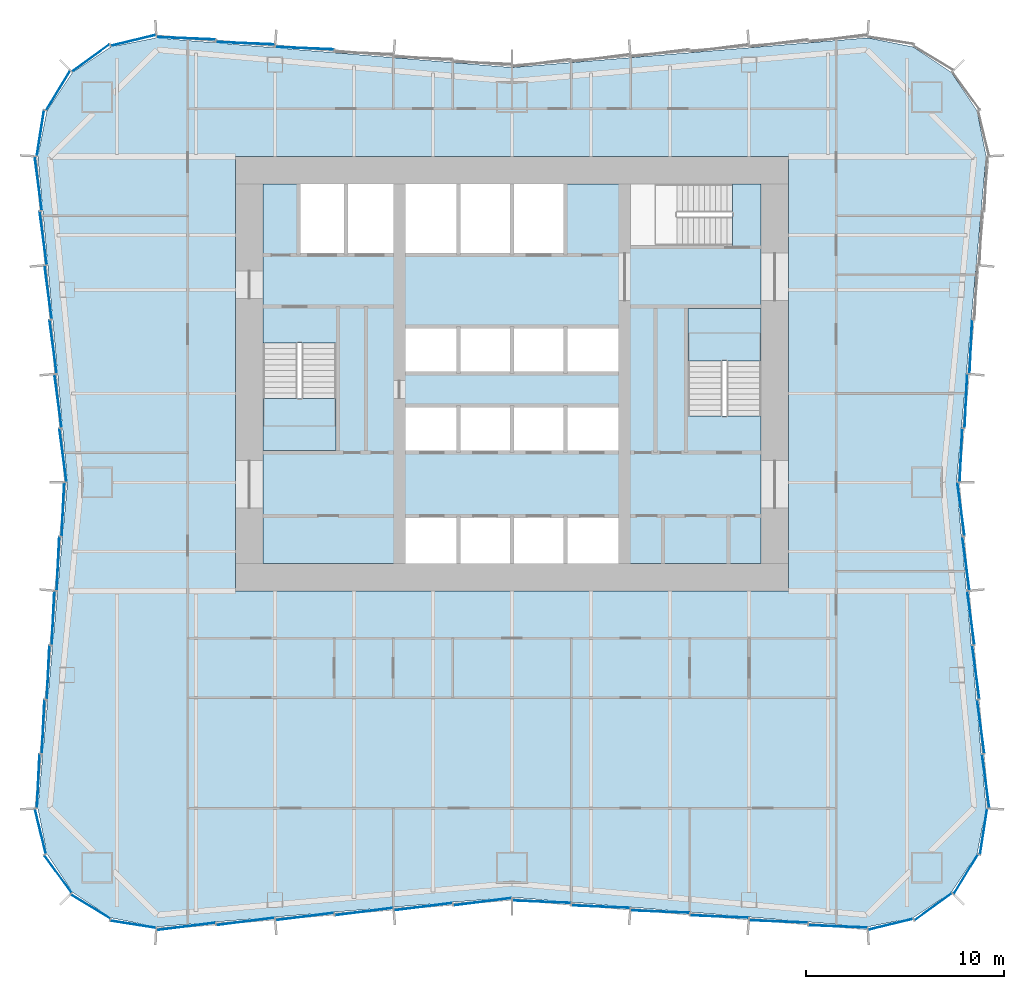
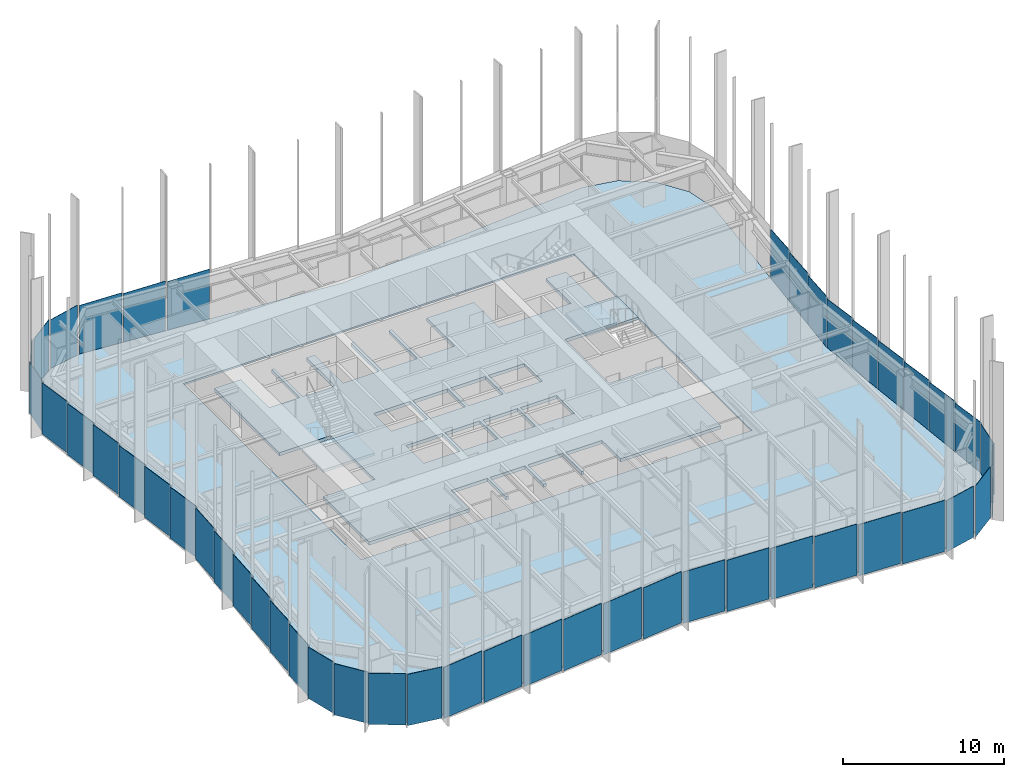
# One storey, part 8 of 13: 48 plates, 4 slabs, 9 elements without a shape of their own.
"""IFC4 building model written with IfcOpenShell, lengths in metres."""

from ifc_helpers import new_model, si_unit, direction, frame, origin, origin_2d, place, context, subcontext, project, spatial, polyline, rectangle, outline, extrude, material, layer, layer_set, type_object, element, aggregate, save


model = new_model("IFC4")

# Units and contexts
model_context = context("Model", 3, precision=1e-05, world=origin(), true_north=direction((0.0, 1.0)))
body_context = subcontext(model_context, "Body", "Model", "MODEL_VIEW")
ifc_project = project(units=[si_unit("LENGTHUNIT", "METRE"), si_unit("AREAUNIT", "SQUARE_METRE"), si_unit("VOLUMEUNIT", "CUBIC_METRE"), si_unit("PLANEANGLEUNIT", "RADIAN"), si_unit("MASSUNIT", "GRAM", prefix="KILO")], contexts=[model_context])

# Site, building, storey
site_placement = place(None, origin())
site = spatial("IfcSite", under=ifc_project, at=site_placement, CompositionType="ELEMENT")
building_placement = place(site_placement, origin())
building = spatial("IfcBuilding", under=site, at=building_placement, Name="Verdant Reach Tower", CompositionType="ELEMENT")
storey_placement = place(building_placement, frame((0.0, 0.0, 26.0)))
storey = spatial("IfcBuildingStorey", under=building, at=storey_placement, Name="L05", CompositionType="ELEMENT", Elevation=26.0)

# Stair, slab
ifc_material_1 = material(Name="Concrete C40/50", Category="concrete")
stair_type = type_object("IfcStairType", Name="CO-STAIR", PredefinedType="HALF_TURN_STAIR", material=ifc_material_1)
stair_1_placement = place(storey_placement, origin())
stair_1 = element("IfcStair", 1, at=stair_1_placement, inside=storey, type_object=stair_type, Name="L05 Exit stair 1", PredefinedType="HALF_TURN_STAIR")
ifc_layer_1 = layer(ifc_material_1, 0.199951171875)
ifc_layer_set_1 = layer_set([ifc_layer_1], Name="CO-STAIR-LANDING")
slab_type_1 = type_object("IfcSlabType", Name="CO-STAIR-LANDING", PredefinedType="LANDING", material=ifc_layer_set_1)
slab_1_placement = place(storey_placement, frame((0.0, 0.0, 1.800048828125)))
slab_1 = element("IfcSlab", 2, at=slab_1_placement, type_object=slab_type_1, Name="ST-1 landing 1", PredefinedType="LANDING", context=body_context, shape_type="SweptSolid", body=[
    extrude(outline(polyline([(-12.60009765625, 26.75), (-12.60009765625, 24.10009765625), (-8.89990234375, 24.10009765625), (-8.89990234375, 26.75), (-12.60009765625, 26.75)])), origin(), (0.0, 0.0, 1.0), 0.199951171875),
])
aggregate(stair_1, [slab_1])

stair_2_placement = place(storey_placement, origin())
stair_2 = element("IfcStair", 3, at=stair_2_placement, inside=storey, type_object=stair_type, Name="L05 Exit stair 2", PredefinedType="HALF_TURN_STAIR")
slab_2_placement = place(storey_placement, frame((0.0, 0.0, 1.800048828125)))
slab_2 = element("IfcSlab", 4, at=slab_2_placement, type_object=slab_type_1, Name="ST-2 landing 1", PredefinedType="LANDING", context=body_context, shape_type="SweptSolid", body=[
    extrude(outline(polyline([(12.60009765625, 28.64990234375), (12.60009765625, 31.300048828125), (8.89990234375, 31.300048828125), (8.89990234375, 28.64990234375), (12.60009765625, 28.64990234375)])), origin(), (0.0, 0.0, 1.0), 0.199951171875),
])
aggregate(stair_2, [slab_2])

# Curtain wall, plates
ifc_material_2 = material(Name="Anodised aluminium", Category="aluminium")
curtain_wall_type = type_object("IfcCurtainWallType", Name="EN-CW SYSTEM Z0", PredefinedType="NOTDEFINED", material=ifc_material_2)
curtain_wall_1_placement = place(storey_placement, origin())
curtain_wall_1 = element("IfcCurtainWall", 5, at=curtain_wall_1_placement, inside=storey, type_object=curtain_wall_type, Name="Curtain wall south-east corner, L05", PredefinedType="NOTDEFINED")
ifc_material_3 = material(Name="Tinted glass with champagne spandrel", Category="glass")
ifc_layer_2 = layer(ifc_material_3, 0.031982421875)
ifc_layer_set_2 = layer_set([ifc_layer_2], Name="EN-PANEL CHAMPAGNE")
plate_type_1 = type_object("IfcPlateType", Name="EN-PANEL CHAMPAGNE", PredefinedType="CURTAIN_PANEL", material=ifc_layer_set_2)
plate_1_placement = place(storey_placement, frame((22.974609375, 2.67626953125, -0.22998046875), z_axis=(0.0, 0.0, 1.0), x_axis=(0.520291583159, 0.853988681713, 0.0)))
plate_1 = element("IfcPlate", 6, at=plate_1_placement, type_object=plate_type_1, Name="Glass panel south-east corner 3.1, L05", PredefinedType="CURTAIN_PANEL", context=body_context, shape_type="SweptSolid", body=[
    extrude(rectangle(XDim=2.32421875, YDim=0.031982421875, at=origin_2d()), origin(), (0.0, 0.0, 1.0), 3.8798828125),
])
plate_2_placement = place(storey_placement, frame((23.86767578125, 4.830078125, -0.22998046875), z_axis=(0.0, 0.0, 1.0), x_axis=(0.154210737778, 0.988037979206, 0.0)))
plate_2 = element("IfcPlate", 7, at=plate_2_placement, type_object=plate_type_1, Name="Glass panel south-east corner 4.1, L05", PredefinedType="CURTAIN_PANEL", context=body_context, shape_type="SweptSolid", body=[
    extrude(rectangle(XDim=2.31884765625, YDim=0.031982421875, at=origin_2d()), origin(), (0.0, 0.0, 1.0), 3.8798828125),
])

curtain_wall_2_placement = place(storey_placement, origin())
curtain_wall_2 = element("IfcCurtainWall", 8, at=curtain_wall_2_placement, inside=storey, type_object=curtain_wall_type, Name="Curtain wall east, L05", PredefinedType="NOTDEFINED")
plate_3_placement = place(storey_placement, frame((23.974609375, 7.376953125, -0.22998046875), z_axis=(0.0, 0.0, 1.0), x_axis=(-0.131792939527, 0.991277267514, 0.0)))
plate_3 = element("IfcPlate", 9, at=plate_3_placement, type_object=plate_type_1, Name="Glass panel east face part 1 1.1, L05", PredefinedType="CURTAIN_PANEL", context=body_context, shape_type="SweptSolid", body=[
    extrude(rectangle(XDim=2.7197265625, YDim=0.031982421875, at=origin_2d()), origin(), (0.0, 0.0, 1.0), 3.8798828125),
])
plate_4_placement = place(storey_placement, frame((23.724609375, 10.134033203125, -0.22998046875), z_axis=(0.0, 0.0, 1.0), x_axis=(-0.132160009881, 0.99122839537, 0.0)))
plate_4 = element("IfcPlate", 10, at=plate_4_placement, type_object=plate_type_1, Name="Glass panel east face part 1 2.1, L05", PredefinedType="CURTAIN_PANEL", context=body_context, shape_type="SweptSolid", body=[
    extrude(rectangle(XDim=2.705322265625, YDim=0.031982421875, at=origin_2d()), origin(), (0.0, 0.0, 1.0), 3.8798828125),
])
plate_5_placement = place(storey_placement, frame((22.974609375, 26.615966796875, -0.22998046875), z_axis=(0.0, 0.0, 1.0), x_axis=(0.04875265175, 0.998810882473, 0.0)))
plate_5 = element("IfcPlate", 11, at=plate_5_placement, type_object=plate_type_1, Name="Glass panel east face part 2 2.1, L05", PredefinedType="CURTAIN_PANEL", context=body_context, shape_type="SweptSolid", body=[
    extrude(rectangle(XDim=2.705322265625, YDim=0.031982421875, at=origin_2d()), origin(), (0.0, 0.0, 1.0), 3.8798828125),
])
plate_6_placement = place(storey_placement, frame((23.224609375, 29.365966796875, -0.22998046875), z_axis=(0.0, 0.0, 1.0), x_axis=(0.04875265175, 0.998810882473, 0.0)))
plate_6 = element("IfcPlate", 12, at=plate_6_placement, type_object=plate_type_1, Name="Glass panel east face part 2 3.1, L05", PredefinedType="CURTAIN_PANEL", context=body_context, shape_type="SweptSolid", body=[
    extrude(rectangle(XDim=2.705322265625, YDim=0.031982421875, at=origin_2d()), origin(), (0.0, 0.0, 1.0), 3.8798828125),
])

# Curtain wall, plate
curtain_wall_3_placement = place(storey_placement, origin())
curtain_wall_3 = element("IfcCurtainWall", 13, at=curtain_wall_3_placement, inside=storey, type_object=curtain_wall_type, Name="Curtain wall north-west corner, L05", PredefinedType="NOTDEFINED")
plate_7_placement = place(storey_placement, frame((-19.169921875, 44.86767578125, -0.22998046875), z_axis=(0.0, 0.0, 1.0), x_axis=(-0.97166347331, -0.236368556782, 0.0)))
plate_7 = element("IfcPlate", 14, at=plate_7_placement, type_object=plate_type_1, Name="Glass panel north-west corner 1.1, L05", PredefinedType="CURTAIN_PANEL", context=body_context, shape_type="SweptSolid", body=[
    extrude(rectangle(XDim=2.318603515625, YDim=0.031982421875, at=origin_2d()), origin(), (0.0, 0.0, 1.0), 3.8798828125),
])

# Curtain wall, plates
curtain_wall_4_placement = place(storey_placement, origin())
curtain_wall_4 = element("IfcCurtainWall", 15, at=curtain_wall_4_placement, inside=storey, type_object=curtain_wall_type, Name="Curtain wall west, L05", PredefinedType="NOTDEFINED")
plate_8_placement = place(storey_placement, frame((-22.974609375, 26.615966796875, -0.22998046875), z_axis=(0.0, 0.0, 1.0), x_axis=(0.132160009881, -0.99122839537, 0.0)))
plate_8 = element("IfcPlate", 16, at=plate_8_placement, type_object=plate_type_1, Name="Glass panel west face part 1 5.1, L05", PredefinedType="CURTAIN_PANEL", context=body_context, shape_type="SweptSolid", body=[
    extrude(rectangle(XDim=2.705322265625, YDim=0.031982421875, at=origin_2d()), origin(), (0.0, 0.0, 1.0), 3.8798828125),
])
plate_9_placement = place(storey_placement, frame((-22.724853515625, 23.870361328125, -0.22998046875), z_axis=(0.0, 0.0, 1.0), x_axis=(0.132307913434, -0.991208664229, 0.0)))
plate_9 = element("IfcPlate", 17, at=plate_9_placement, type_object=plate_type_1, Name="Glass panel west face part 1 6.1, L05", PredefinedType="CURTAIN_PANEL", context=body_context, shape_type="SweptSolid", body=[
    extrude(rectangle(XDim=2.6962890625, YDim=0.031982421875, at=origin_2d()), origin(), (0.0, 0.0, 1.0), 3.8798828125),
])
plate_10_placement = place(storey_placement, frame((-23.974609375, 7.376953125, -0.22998046875), z_axis=(0.0, 0.0, 1.0), x_axis=(-0.048382779248, -0.998828867561, 0.0)))
plate_10 = element("IfcPlate", 18, at=plate_10_placement, type_object=plate_type_1, Name="Glass panel west face part 2 6.1, L05", PredefinedType="CURTAIN_PANEL", context=body_context, shape_type="SweptSolid", body=[
    extrude(rectangle(XDim=2.7197265625, YDim=0.031982421875, at=origin_2d()), origin(), (0.0, 0.0, 1.0), 3.8798828125),
])

curtain_wall_5_placement = place(storey_placement, origin())
curtain_wall_5 = element("IfcCurtainWall", 19, at=curtain_wall_5_placement, inside=storey, type_object=curtain_wall_type, Name="Curtain wall south, L05", PredefinedType="NOTDEFINED")
plate_11_placement = place(storey_placement, frame((-10.49169921875, 0.525390625, -0.22998046875), z_axis=(0.0, 0.0, 1.0), x_axis=(0.992194034542, 0.124703639961, 0.0)))
plate_11 = element("IfcPlate", 20, at=plate_11_placement, type_object=plate_type_1, Name="Glass panel south face part 1 3.1, L05", PredefinedType="CURTAIN_PANEL", context=body_context, shape_type="SweptSolid", body=[
    extrude(rectangle(XDim=2.954345703125, YDim=0.031982421875, at=origin_2d()), origin(), (0.0, 0.0, 1.0), 3.8798828125),
])
plate_12_placement = place(storey_placement, frame((-7.49169921875, 0.775390625, -0.22998046875), z_axis=(0.0, 0.0, 1.0), x_axis=(0.992194034542, 0.124703639961, 0.0)))
plate_12 = element("IfcPlate", 21, at=plate_12_placement, type_object=plate_type_1, Name="Glass panel south face part 1 4.1, L05", PredefinedType="CURTAIN_PANEL", context=body_context, shape_type="SweptSolid", body=[
    extrude(rectangle(XDim=2.954345703125, YDim=0.031982421875, at=origin_2d()), origin(), (0.0, 0.0, 1.0), 3.8798828125),
])
plate_13_placement = place(storey_placement, frame((10.49169921875, 0.525390625, -0.22998046875), z_axis=(0.0, 0.0, 1.0), x_axis=(0.999149202059, -0.041241629766, 0.0)))
plate_13 = element("IfcPlate", 22, at=plate_13_placement, type_object=plate_type_1, Name="Glass panel south face part 2 4.1, L05", PredefinedType="CURTAIN_PANEL", context=body_context, shape_type="SweptSolid", body=[
    extrude(rectangle(XDim=2.954345703125, YDim=0.031982421875, at=origin_2d()), origin(), (0.0, 0.0, 1.0), 3.8798828125),
])
plate_14_placement = place(storey_placement, frame((13.49169921875, 0.275390625, -0.22998046875), z_axis=(0.0, 0.0, 1.0), x_axis=(0.999149202059, -0.041241629766, 0.0)))
plate_14 = element("IfcPlate", 23, at=plate_14_placement, type_object=plate_type_1, Name="Glass panel south face part 2 5.1, L05", PredefinedType="CURTAIN_PANEL", context=body_context, shape_type="SweptSolid", body=[
    extrude(rectangle(XDim=2.954345703125, YDim=0.031982421875, at=origin_2d()), origin(), (0.0, 0.0, 1.0), 3.8798828125),
])
plate_15_placement = place(storey_placement, frame((16.498779296875, 0.025146484375, -0.22998046875), z_axis=(0.0, 0.0, 1.0), x_axis=(0.999162442933, -0.040919587398, 0.0)))
plate_15 = element("IfcPlate", 24, at=plate_15_placement, type_object=plate_type_1, Name="Glass panel south face part 2 6.1, L05", PredefinedType="CURTAIN_PANEL", context=body_context, shape_type="SweptSolid", body=[
    extrude(rectangle(XDim=2.96826171875, YDim=0.031982421875, at=origin_2d()), origin(), (0.0, 0.0, 1.0), 3.8798828125),
])

# Plate
ifc_material_4 = material(Name="Tinted glass with copper spandrel", Category="glass")
ifc_layer_3 = layer(ifc_material_4, 0.031982421875)
ifc_layer_set_3 = layer_set([ifc_layer_3], Name="EN-PANEL COPPER")
plate_type_2 = type_object("IfcPlateType", Name="EN-PANEL COPPER", PredefinedType="CURTAIN_PANEL", material=ifc_layer_set_3)
plate_16_placement = place(storey_placement, frame((23.474609375, 12.884033203125, -0.22998046875), z_axis=(0.0, 0.0, 1.0), x_axis=(-0.132160009881, 0.99122839537, 0.0)))
plate_16 = element("IfcPlate", 25, at=plate_16_placement, type_object=plate_type_2, Name="Glass panel east face part 1 3.1, L05", PredefinedType="CURTAIN_PANEL", context=body_context, shape_type="SweptSolid", body=[
    extrude(rectangle(XDim=2.705322265625, YDim=0.031982421875, at=origin_2d()), origin(), (0.0, 0.0, 1.0), 3.8798828125),
])

plate_17_placement = place(storey_placement, frame((23.224609375, 15.634033203125, -0.22998046875), z_axis=(0.0, 0.0, 1.0), x_axis=(-0.132160009881, 0.99122839537, 0.0)))
plate_17 = element("IfcPlate", 26, at=plate_17_placement, type_object=plate_type_2, Name="Glass panel east face part 1 4.1, L05", PredefinedType="CURTAIN_PANEL", context=body_context, shape_type="SweptSolid", body=[
    extrude(rectangle(XDim=2.705322265625, YDim=0.031982421875, at=origin_2d()), origin(), (0.0, 0.0, 1.0), 3.8798828125),
])

plate_18_placement = place(storey_placement, frame((22.974609375, 18.384033203125, -0.22998046875), z_axis=(0.0, 0.0, 1.0), x_axis=(-0.132160009881, 0.99122839537, 0.0)))
plate_18 = element("IfcPlate", 27, at=plate_18_placement, type_object=plate_type_2, Name="Glass panel east face part 1 5.1, L05", PredefinedType="CURTAIN_PANEL", context=body_context, shape_type="SweptSolid", body=[
    extrude(rectangle(XDim=2.705322265625, YDim=0.031982421875, at=origin_2d()), origin(), (0.0, 0.0, 1.0), 3.8798828125),
])

# Curtain wall, plates
curtain_wall_6_placement = place(storey_placement, origin())
curtain_wall_6 = element("IfcCurtainWall", 28, at=curtain_wall_6_placement, inside=storey, type_object=curtain_wall_type, Name="Curtain wall north, L05", PredefinedType="NOTDEFINED")
plate_19_placement = place(storey_placement, frame((-10.49169921875, 44.474609375, -0.22998046875), z_axis=(0.0, 0.0, 1.0), x_axis=(-0.999149202059, 0.041241629766, 0.0)))
plate_19 = element("IfcPlate", 29, at=plate_19_placement, type_object=plate_type_2, Name="Glass panel north face part 2 4.1, L05", PredefinedType="CURTAIN_PANEL", context=body_context, shape_type="SweptSolid", body=[
    extrude(rectangle(XDim=2.954345703125, YDim=0.031982421875, at=origin_2d()), origin(), (0.0, 0.0, 1.0), 3.8798828125),
])
plate_20_placement = place(storey_placement, frame((-13.49169921875, 44.724609375, -0.22998046875), z_axis=(0.0, 0.0, 1.0), x_axis=(-0.999149202059, 0.041241629766, 0.0)))
plate_20 = element("IfcPlate", 30, at=plate_20_placement, type_object=plate_type_2, Name="Glass panel north face part 2 5.1, L05", PredefinedType="CURTAIN_PANEL", context=body_context, shape_type="SweptSolid", body=[
    extrude(rectangle(XDim=2.954345703125, YDim=0.031982421875, at=origin_2d()), origin(), (0.0, 0.0, 1.0), 3.8798828125),
])

# Plate
plate_21_placement = place(storey_placement, frame((-21.32373046875, 43.974609375, -0.22998046875), z_axis=(0.0, 0.0, 1.0), x_axis=(-0.807456745624, -0.589926778461, 0.0)))
plate_21 = element("IfcPlate", 31, at=plate_21_placement, type_object=plate_type_2, Name="Glass panel north-west corner 2.1, L05", PredefinedType="CURTAIN_PANEL", context=body_context, shape_type="SweptSolid", body=[
    extrude(rectangle(XDim=2.32421875, YDim=0.031982421875, at=origin_2d()), origin(), (0.0, 0.0, 1.0), 3.8798828125),
])

plate_22_placement = place(storey_placement, frame((-22.974609375, 42.32373046875, -0.22998046875), z_axis=(0.0, 0.0, 1.0), x_axis=(-0.520291583159, -0.853988681713, 0.0)))
plate_22 = element("IfcPlate", 32, at=plate_22_placement, type_object=plate_type_2, Name="Glass panel north-west corner 3.1, L05", PredefinedType="CURTAIN_PANEL", context=body_context, shape_type="SweptSolid", body=[
    extrude(rectangle(XDim=2.32421875, YDim=0.031982421875, at=origin_2d()), origin(), (0.0, 0.0, 1.0), 3.8798828125),
])

plate_23_placement = place(storey_placement, frame((-23.974609375, 37.623046875, -0.22998046875), z_axis=(0.0, 0.0, 1.0), x_axis=(0.131792939527, -0.991277267514, 0.0)))
plate_23 = element("IfcPlate", 33, at=plate_23_placement, type_object=plate_type_2, Name="Glass panel west face part 1 1.1, L05", PredefinedType="CURTAIN_PANEL", context=body_context, shape_type="SweptSolid", body=[
    extrude(rectangle(XDim=2.7197265625, YDim=0.031982421875, at=origin_2d()), origin(), (0.0, 0.0, 1.0), 3.8798828125),
])

plate_24_placement = place(storey_placement, frame((-22.724853515625, 21.129638671875, -0.22998046875), z_axis=(0.0, 0.0, 1.0), x_axis=(-0.048901687644, -0.998803596782, 0.0)))
plate_24 = element("IfcPlate", 34, at=plate_24_placement, type_object=plate_type_2, Name="Glass panel west face part 2 1.1, L05", PredefinedType="CURTAIN_PANEL", context=body_context, shape_type="SweptSolid", body=[
    extrude(rectangle(XDim=2.6962890625, YDim=0.031982421875, at=origin_2d()), origin(), (0.0, 0.0, 1.0), 3.8798828125),
])

plate_25_placement = place(storey_placement, frame((-22.974609375, 18.384033203125, -0.22998046875), z_axis=(0.0, 0.0, 1.0), x_axis=(-0.04875265175, -0.998810882473, 0.0)))
plate_25 = element("IfcPlate", 35, at=plate_25_placement, type_object=plate_type_2, Name="Glass panel west face part 2 2.1, L05", PredefinedType="CURTAIN_PANEL", context=body_context, shape_type="SweptSolid", body=[
    extrude(rectangle(XDim=2.705322265625, YDim=0.031982421875, at=origin_2d()), origin(), (0.0, 0.0, 1.0), 3.8798828125),
])

plate_26_placement = place(storey_placement, frame((-23.224609375, 15.634033203125, -0.22998046875), z_axis=(0.0, 0.0, 1.0), x_axis=(-0.04875265175, -0.998810882473, 0.0)))
plate_26 = element("IfcPlate", 36, at=plate_26_placement, type_object=plate_type_2, Name="Glass panel west face part 2 3.1, L05", PredefinedType="CURTAIN_PANEL", context=body_context, shape_type="SweptSolid", body=[
    extrude(rectangle(XDim=2.705322265625, YDim=0.031982421875, at=origin_2d()), origin(), (0.0, 0.0, 1.0), 3.8798828125),
])

# Curtain wall, plate
curtain_wall_7_placement = place(storey_placement, origin())
curtain_wall_7 = element("IfcCurtainWall", 37, at=curtain_wall_7_placement, inside=storey, type_object=curtain_wall_type, Name="Curtain wall south-west corner, L05", PredefinedType="NOTDEFINED")
plate_27_placement = place(storey_placement, frame((-23.86767578125, 4.830078125, -0.22998046875), z_axis=(0.0, 0.0, 1.0), x_axis=(0.236346786246, -0.97166876899, 0.0)))
plate_27 = element("IfcPlate", 38, at=plate_27_placement, type_object=plate_type_2, Name="Glass panel south-west corner 1.1, L05", PredefinedType="CURTAIN_PANEL", context=body_context, shape_type="SweptSolid", body=[
    extrude(rectangle(XDim=2.31884765625, YDim=0.031982421875, at=origin_2d()), origin(), (0.0, 0.0, 1.0), 3.8798828125),
])

# Plate
plate_28_placement = place(storey_placement, frame((-4.49169921875, 1.025390625, -0.22998046875), z_axis=(0.0, 0.0, 1.0), x_axis=(0.992194034542, 0.124703639961, 0.0)))
plate_28 = element("IfcPlate", 39, at=plate_28_placement, type_object=plate_type_2, Name="Glass panel south face part 1 5.1, L05", PredefinedType="CURTAIN_PANEL", context=body_context, shape_type="SweptSolid", body=[
    extrude(rectangle(XDim=2.954345703125, YDim=0.031982421875, at=origin_2d()), origin(), (0.0, 0.0, 1.0), 3.8798828125),
])

plate_29_placement = place(storey_placement, frame((-1.495849609375, 1.275146484375, -0.22998046875), z_axis=(0.0, 0.0, 1.0), x_axis=(0.992179679439, 0.124817802047, 0.0)))
plate_29 = element("IfcPlate", 40, at=plate_29_placement, type_object=plate_type_2, Name="Glass panel south face part 1 6.1, L05", PredefinedType="CURTAIN_PANEL", context=body_context, shape_type="SweptSolid", body=[
    extrude(rectangle(XDim=2.946044921875, YDim=0.031982421875, at=origin_2d()), origin(), (0.0, 0.0, 1.0), 3.8798828125),
])

plate_30_placement = place(storey_placement, frame((1.495849609375, 1.275146484375, -0.22998046875), z_axis=(0.0, 0.0, 1.0), x_axis=(0.999144450138, -0.041356592674, 0.0)))
plate_30 = element("IfcPlate", 41, at=plate_30_placement, type_object=plate_type_2, Name="Glass panel south face part 2 1.1, L05", PredefinedType="CURTAIN_PANEL", context=body_context, shape_type="SweptSolid", body=[
    extrude(rectangle(XDim=2.946044921875, YDim=0.031982421875, at=origin_2d()), origin(), (0.0, 0.0, 1.0), 3.8798828125),
])

ifc_material_5 = material(Name="Tinted glass with dark bronze spandrel", Category="glass")
ifc_layer_4 = layer(ifc_material_5, 0.031982421875)
ifc_layer_set_4 = layer_set([ifc_layer_4], Name="EN-PANEL DARK")
plate_type_3 = type_object("IfcPlateType", Name="EN-PANEL DARK", PredefinedType="CURTAIN_PANEL", material=ifc_layer_set_4)
plate_31_placement = place(storey_placement, frame((19.169921875, 0.13232421875, -0.22998046875), z_axis=(0.0, 0.0, 1.0), x_axis=(0.97166347331, 0.236368556782, 0.0)))
plate_31 = element("IfcPlate", 42, at=plate_31_placement, type_object=plate_type_3, Name="Glass panel south-east corner 1.1, L05", PredefinedType="CURTAIN_PANEL", context=body_context, shape_type="SweptSolid", body=[
    extrude(rectangle(XDim=2.318603515625, YDim=0.031982421875, at=origin_2d()), origin(), (0.0, 0.0, 1.0), 3.8798828125),
])

plate_32_placement = place(storey_placement, frame((21.32373046875, 1.025390625, -0.22998046875), z_axis=(0.0, 0.0, 1.0), x_axis=(0.807456745624, 0.589926778461, 0.0)))
plate_32 = element("IfcPlate", 43, at=plate_32_placement, type_object=plate_type_3, Name="Glass panel south-east corner 2.1, L05", PredefinedType="CURTAIN_PANEL", context=body_context, shape_type="SweptSolid", body=[
    extrude(rectangle(XDim=2.32421875, YDim=0.031982421875, at=origin_2d()), origin(), (0.0, 0.0, 1.0), 3.8798828125),
])

aggregate(curtain_wall_1, [plate_31, plate_32, plate_1, plate_2])

plate_33_placement = place(storey_placement, frame((22.724853515625, 21.129638671875, -0.22998046875), z_axis=(0.0, 0.0, 1.0), x_axis=(-0.132307913434, 0.991208664229, 0.0)))
plate_33 = element("IfcPlate", 44, at=plate_33_placement, type_object=plate_type_3, Name="Glass panel east face part 1 6.1, L05", PredefinedType="CURTAIN_PANEL", context=body_context, shape_type="SweptSolid", body=[
    extrude(rectangle(XDim=2.6962890625, YDim=0.031982421875, at=origin_2d()), origin(), (0.0, 0.0, 1.0), 3.8798828125),
])

plate_34_placement = place(storey_placement, frame((22.724853515625, 23.870361328125, -0.22998046875), z_axis=(0.0, 0.0, 1.0), x_axis=(0.048901687644, 0.998803596782, 0.0)))
plate_34 = element("IfcPlate", 45, at=plate_34_placement, type_object=plate_type_3, Name="Glass panel east face part 2 1.1, L05", PredefinedType="CURTAIN_PANEL", context=body_context, shape_type="SweptSolid", body=[
    extrude(rectangle(XDim=2.6962890625, YDim=0.031982421875, at=origin_2d()), origin(), (0.0, 0.0, 1.0), 3.8798828125),
])

aggregate(curtain_wall_2, [plate_3, plate_4, plate_16, plate_17, plate_18, plate_33, plate_34, plate_5, plate_6])

plate_35_placement = place(storey_placement, frame((-16.498779296875, 44.974853515625, -0.22998046875), z_axis=(0.0, 0.0, 1.0), x_axis=(-0.999162442933, 0.040919587398, 0.0)))
plate_35 = element("IfcPlate", 46, at=plate_35_placement, type_object=plate_type_3, Name="Glass panel north face part 2 6.1, L05", PredefinedType="CURTAIN_PANEL", context=body_context, shape_type="SweptSolid", body=[
    extrude(rectangle(XDim=2.96826171875, YDim=0.031982421875, at=origin_2d()), origin(), (0.0, 0.0, 1.0), 3.8798828125),
])

aggregate(curtain_wall_6, [plate_19, plate_20, plate_35])

plate_36_placement = place(storey_placement, frame((-23.86767578125, 40.169921875, -0.22998046875), z_axis=(0.0, 0.0, 1.0), x_axis=(-0.154210737778, -0.988037979206, 0.0)))
plate_36 = element("IfcPlate", 47, at=plate_36_placement, type_object=plate_type_3, Name="Glass panel north-west corner 4.1, L05", PredefinedType="CURTAIN_PANEL", context=body_context, shape_type="SweptSolid", body=[
    extrude(rectangle(XDim=2.31884765625, YDim=0.031982421875, at=origin_2d()), origin(), (0.0, 0.0, 1.0), 3.8798828125),
])

aggregate(curtain_wall_3, [plate_7, plate_21, plate_22, plate_36])

plate_37_placement = place(storey_placement, frame((-23.724609375, 34.865966796875, -0.22998046875), z_axis=(0.0, 0.0, 1.0), x_axis=(0.132160009881, -0.99122839537, 0.0)))
plate_37 = element("IfcPlate", 48, at=plate_37_placement, type_object=plate_type_3, Name="Glass panel west face part 1 2.1, L05", PredefinedType="CURTAIN_PANEL", context=body_context, shape_type="SweptSolid", body=[
    extrude(rectangle(XDim=2.705322265625, YDim=0.031982421875, at=origin_2d()), origin(), (0.0, 0.0, 1.0), 3.8798828125),
])

plate_38_placement = place(storey_placement, frame((-23.474609375, 32.115966796875, -0.22998046875), z_axis=(0.0, 0.0, 1.0), x_axis=(0.132160009881, -0.99122839537, 0.0)))
plate_38 = element("IfcPlate", 49, at=plate_38_placement, type_object=plate_type_3, Name="Glass panel west face part 1 3.1, L05", PredefinedType="CURTAIN_PANEL", context=body_context, shape_type="SweptSolid", body=[
    extrude(rectangle(XDim=2.705322265625, YDim=0.031982421875, at=origin_2d()), origin(), (0.0, 0.0, 1.0), 3.8798828125),
])

plate_39_placement = place(storey_placement, frame((-23.224609375, 29.365966796875, -0.22998046875), z_axis=(0.0, 0.0, 1.0), x_axis=(0.132160009881, -0.99122839537, 0.0)))
plate_39 = element("IfcPlate", 50, at=plate_39_placement, type_object=plate_type_3, Name="Glass panel west face part 1 4.1, L05", PredefinedType="CURTAIN_PANEL", context=body_context, shape_type="SweptSolid", body=[
    extrude(rectangle(XDim=2.705322265625, YDim=0.031982421875, at=origin_2d()), origin(), (0.0, 0.0, 1.0), 3.8798828125),
])

plate_40_placement = place(storey_placement, frame((-23.474609375, 12.884033203125, -0.22998046875), z_axis=(0.0, 0.0, 1.0), x_axis=(-0.04875265175, -0.998810882473, 0.0)))
plate_40 = element("IfcPlate", 51, at=plate_40_placement, type_object=plate_type_3, Name="Glass panel west face part 2 4.1, L05", PredefinedType="CURTAIN_PANEL", context=body_context, shape_type="SweptSolid", body=[
    extrude(rectangle(XDim=2.705322265625, YDim=0.031982421875, at=origin_2d()), origin(), (0.0, 0.0, 1.0), 3.8798828125),
])

plate_41_placement = place(storey_placement, frame((-23.724609375, 10.134033203125, -0.22998046875), z_axis=(0.0, 0.0, 1.0), x_axis=(-0.04875265175, -0.998810882473, 0.0)))
plate_41 = element("IfcPlate", 52, at=plate_41_placement, type_object=plate_type_3, Name="Glass panel west face part 2 5.1, L05", PredefinedType="CURTAIN_PANEL", context=body_context, shape_type="SweptSolid", body=[
    extrude(rectangle(XDim=2.705322265625, YDim=0.031982421875, at=origin_2d()), origin(), (0.0, 0.0, 1.0), 3.8798828125),
])

aggregate(curtain_wall_4, [plate_23, plate_37, plate_38, plate_39, plate_8, plate_9, plate_24, plate_25, plate_26, plate_40, plate_41, plate_10])

plate_42_placement = place(storey_placement, frame((-22.974609375, 2.67626953125, -0.22998046875), z_axis=(0.0, 0.0, 1.0), x_axis=(0.589926778461, -0.807456745624, 0.0)))
plate_42 = element("IfcPlate", 53, at=plate_42_placement, type_object=plate_type_3, Name="Glass panel south-west corner 2.1, L05", PredefinedType="CURTAIN_PANEL", context=body_context, shape_type="SweptSolid", body=[
    extrude(rectangle(XDim=2.32421875, YDim=0.031982421875, at=origin_2d()), origin(), (0.0, 0.0, 1.0), 3.8798828125),
])

plate_43_placement = place(storey_placement, frame((-21.32373046875, 1.025390625, -0.22998046875), z_axis=(0.0, 0.0, 1.0), x_axis=(0.853988681713, -0.520291583159, 0.0)))
plate_43 = element("IfcPlate", 54, at=plate_43_placement, type_object=plate_type_3, Name="Glass panel south-west corner 3.1, L05", PredefinedType="CURTAIN_PANEL", context=body_context, shape_type="SweptSolid", body=[
    extrude(rectangle(XDim=2.32421875, YDim=0.031982421875, at=origin_2d()), origin(), (0.0, 0.0, 1.0), 3.8798828125),
])

plate_44_placement = place(storey_placement, frame((-19.169921875, 0.13232421875, -0.22998046875), z_axis=(0.0, 0.0, 1.0), x_axis=(0.98803452381, -0.154232875093, 0.0)))
plate_44 = element("IfcPlate", 55, at=plate_44_placement, type_object=plate_type_3, Name="Glass panel south-west corner 4.1, L05", PredefinedType="CURTAIN_PANEL", context=body_context, shape_type="SweptSolid", body=[
    extrude(rectangle(XDim=2.318603515625, YDim=0.031982421875, at=origin_2d()), origin(), (0.0, 0.0, 1.0), 3.8798828125),
])

aggregate(curtain_wall_7, [plate_27, plate_42, plate_43, plate_44])

plate_45_placement = place(storey_placement, frame((-16.498779296875, 0.025146484375, -0.22998046875), z_axis=(0.0, 0.0, 1.0), x_axis=(0.992234176789, 0.124383835008, 0.0)))
plate_45 = element("IfcPlate", 56, at=plate_45_placement, type_object=plate_type_3, Name="Glass panel south face part 1 1.1, L05", PredefinedType="CURTAIN_PANEL", context=body_context, shape_type="SweptSolid", body=[
    extrude(rectangle(XDim=2.96826171875, YDim=0.031982421875, at=origin_2d()), origin(), (0.0, 0.0, 1.0), 3.8798828125),
])

plate_46_placement = place(storey_placement, frame((-13.49169921875, 0.275390625, -0.22998046875), z_axis=(0.0, 0.0, 1.0), x_axis=(0.992194034542, 0.124703639961, 0.0)))
plate_46 = element("IfcPlate", 57, at=plate_46_placement, type_object=plate_type_3, Name="Glass panel south face part 1 2.1, L05", PredefinedType="CURTAIN_PANEL", context=body_context, shape_type="SweptSolid", body=[
    extrude(rectangle(XDim=2.954345703125, YDim=0.031982421875, at=origin_2d()), origin(), (0.0, 0.0, 1.0), 3.8798828125),
])

plate_47_placement = place(storey_placement, frame((4.49169921875, 1.025390625, -0.22998046875), z_axis=(0.0, 0.0, 1.0), x_axis=(0.999149202059, -0.041241629766, 0.0)))
plate_47 = element("IfcPlate", 58, at=plate_47_placement, type_object=plate_type_3, Name="Glass panel south face part 2 2.1, L05", PredefinedType="CURTAIN_PANEL", context=body_context, shape_type="SweptSolid", body=[
    extrude(rectangle(XDim=2.954345703125, YDim=0.031982421875, at=origin_2d()), origin(), (0.0, 0.0, 1.0), 3.8798828125),
])

plate_48_placement = place(storey_placement, frame((7.49169921875, 0.775390625, -0.22998046875), z_axis=(0.0, 0.0, 1.0), x_axis=(0.999149202059, -0.041241629766, 0.0)))
plate_48 = element("IfcPlate", 59, at=plate_48_placement, type_object=plate_type_3, Name="Glass panel south face part 2 3.1, L05", PredefinedType="CURTAIN_PANEL", context=body_context, shape_type="SweptSolid", body=[
    extrude(rectangle(XDim=2.954345703125, YDim=0.031982421875, at=origin_2d()), origin(), (0.0, 0.0, 1.0), 3.8798828125),
])

aggregate(curtain_wall_5, [plate_45, plate_46, plate_11, plate_12, plate_28, plate_29, plate_30, plate_47, plate_48, plate_13, plate_14, plate_15])

# Slabs
ifc_material_6 = material(Name="Concrete C35/45", Category="concrete")
ifc_layer_5 = layer(ifc_material_6, 0.1298828125)
ifc_layer_set_5 = layer_set([ifc_layer_5], Name="ST-SLAB-130")
slab_type_2 = type_object("IfcSlabType", Name="ST-SLAB-130", PredefinedType="FLOOR", material=ifc_layer_set_5)
slab_3_placement = place(storey_placement, frame((0.0, 0.0, -0.1298828125)))
element("IfcSlab", 60, at=slab_3_placement, inside=storey, type_object=slab_type_2, Name="Floor slab L05", PredefinedType="FLOOR", context=body_context, shape_type="SweptSolid", body=[
    extrude(outline(polyline([(0.0, 1.5), (-18.0, 0.0), (-20.296142578125, 0.456787109375), (-22.24267578125, 1.75732421875), (-23.543212890625, 3.703857421875), (-24.0, 6.0), (-22.5, 22.5), (-24.0, 39.0), (-23.543212890625, 41.296142578125), (-22.24267578125, 43.24267578125), (-20.296142578125, 44.543212890625), (-18.0, 45.0), (0.0, 43.5), (18.0, 45.0), (20.296142578125, 44.543212890625), (22.24267578125, 43.24267578125), (23.543212890625, 41.296142578125), (24.0, 39.0), (22.5, 22.5), (24.0, 6.0), (23.543212890625, 3.703857421875), (22.24267578125, 1.75732421875), (20.296142578125, 0.456787109375), (18.0, 0.0), (0.0, 1.5)]), holes=[polyline([(14.0, 39.0), (-14.0, 39.0), (-14.0, 17.0), (14.0, 17.0), (14.0, 39.0)])]), origin(), (0.0, 0.0, 1.0), 0.1298828125),
])
ifc_layer_6 = layer(ifc_material_6, 0.25)
ifc_layer_set_6 = layer_set([ifc_layer_6], Name="ST-SLAB-250")
slab_type_3 = type_object("IfcSlabType", Name="ST-SLAB-250", PredefinedType="FLOOR", material=ifc_layer_set_6)
slab_4_placement = place(storey_placement, frame((0.0, 0.0, -0.25)))
element("IfcSlab", 61, at=slab_4_placement, inside=storey, type_object=slab_type_3, Name="Core floor slab L05", PredefinedType="FLOOR", context=body_context, shape_type="SweptSolid", body=[
    extrude(outline(polyline([(12.60009765625, 18.39990234375), (5.39990234375, 18.39990234375), (5.39990234375, 20.699951171875), (2.800048828125, 20.699951171875), (2.800048828125, 18.39990234375), (2.60009765625, 18.39990234375), (2.60009765625, 20.699951171875), (0.10009765625, 20.699951171875), (0.10009765625, 18.39990234375), (-0.10009765625, 18.39990234375), (-0.10009765625, 20.699951171875), (-2.60009765625, 20.699951171875), (-2.60009765625, 18.39990234375), (-2.800048828125, 18.39990234375), (-2.800048828125, 20.699951171875), (-5.39990234375, 20.699951171875), (-5.39990234375, 18.39990234375), (-12.60009765625, 18.39990234375), (-12.60009765625, 24.10009765625), (-8.89990234375, 24.10009765625), (-8.89990234375, 29.548095703125), (-12.60009765625, 29.548095703125), (-12.60009765625, 37.60009765625), (-10.699951171875, 37.60009765625), (-10.699951171875, 34.10009765625), (-8.5, 34.10009765625), (-8.5, 37.60009765625), (-8.300048828125, 37.60009765625), (-8.300048828125, 34.10009765625), (-6.0, 34.10009765625), (-6.0, 37.60009765625), (-5.39990234375, 37.60009765625), (-5.39990234375, 34.10009765625), (-2.800048828125, 34.10009765625), (-2.800048828125, 37.60009765625), (-2.60009765625, 37.60009765625), (-2.60009765625, 34.10009765625), (-0.10009765625, 34.10009765625), (-0.10009765625, 37.60009765625), (0.10009765625, 37.60009765625), (0.10009765625, 34.10009765625), (2.60009765625, 34.10009765625), (2.60009765625, 37.60009765625), (6.0, 37.60009765625), (6.0, 34.5), (11.14794921875, 34.5), (11.14794921875, 37.60009765625), (12.60009765625, 37.60009765625), (12.60009765625, 31.300048828125), (8.89990234375, 31.300048828125), (8.89990234375, 25.85205078125), (12.60009765625, 25.85205078125), (12.60009765625, 18.39990234375)]), holes=[polyline([(-2.800048828125, 24.10009765625), (-2.800048828125, 26.300048828125), (-5.39990234375, 26.300048828125), (-5.39990234375, 24.10009765625), (-2.800048828125, 24.10009765625)]), polyline([(-2.60009765625, 24.10009765625), (-0.10009765625, 24.10009765625), (-0.10009765625, 26.300048828125), (-2.60009765625, 26.300048828125), (-2.60009765625, 24.10009765625)]), polyline([(-2.800048828125, 28.10009765625), (-2.800048828125, 30.300048828125), (-5.39990234375, 30.300048828125), (-5.39990234375, 28.10009765625), (-2.800048828125, 28.10009765625)]), polyline([(-0.10009765625, 28.10009765625), (-0.10009765625, 30.300048828125), (-2.60009765625, 30.300048828125), (-2.60009765625, 28.10009765625), (-0.10009765625, 28.10009765625)]), polyline([(2.60009765625, 24.10009765625), (2.60009765625, 26.300048828125), (0.10009765625, 26.300048828125), (0.10009765625, 24.10009765625), (2.60009765625, 24.10009765625)]), polyline([(2.800048828125, 24.10009765625), (5.39990234375, 24.10009765625), (5.39990234375, 26.300048828125), (2.800048828125, 26.300048828125), (2.800048828125, 24.10009765625)]), polyline([(2.60009765625, 28.10009765625), (2.60009765625, 30.300048828125), (0.10009765625, 30.300048828125), (0.10009765625, 28.10009765625), (2.60009765625, 28.10009765625)]), polyline([(5.39990234375, 28.10009765625), (5.39990234375, 30.300048828125), (2.800048828125, 30.300048828125), (2.800048828125, 28.10009765625), (5.39990234375, 28.10009765625)])]), origin(), (0.0, 0.0, 1.0), 0.25),
])

save(model, "model.ifc")
